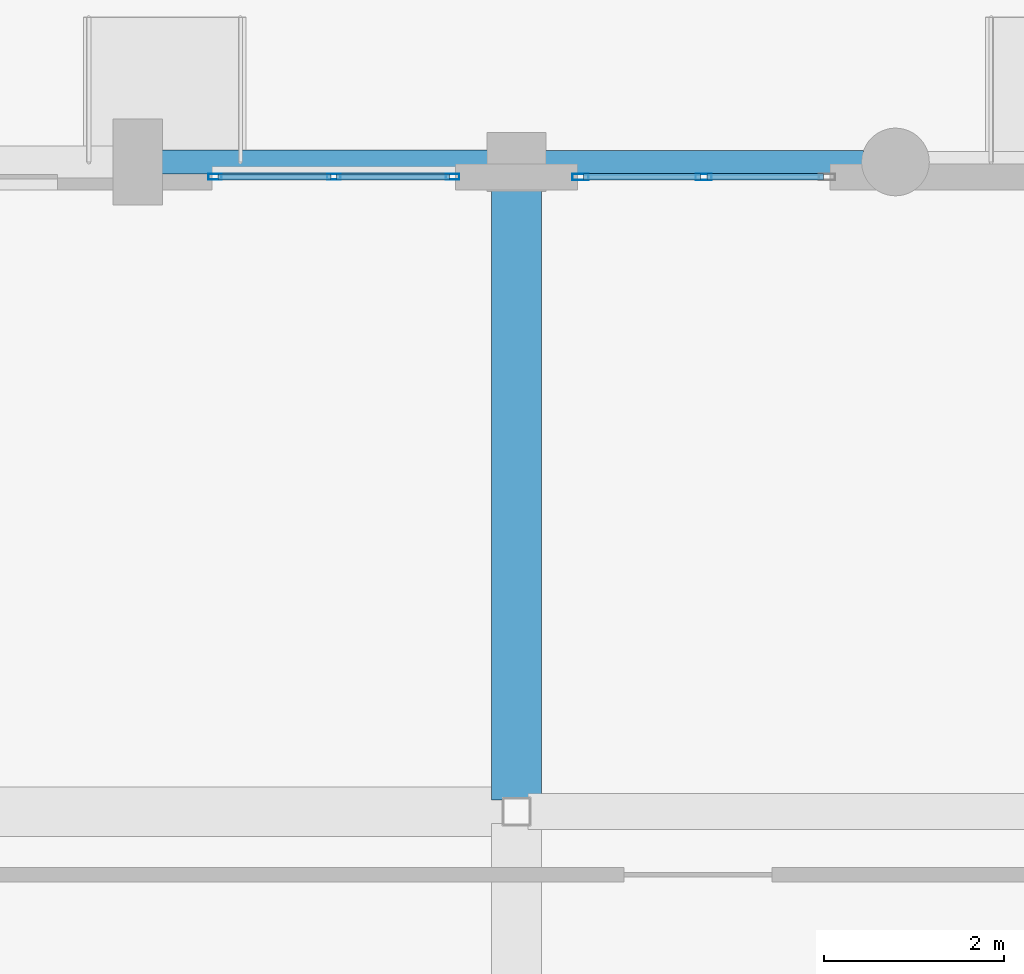
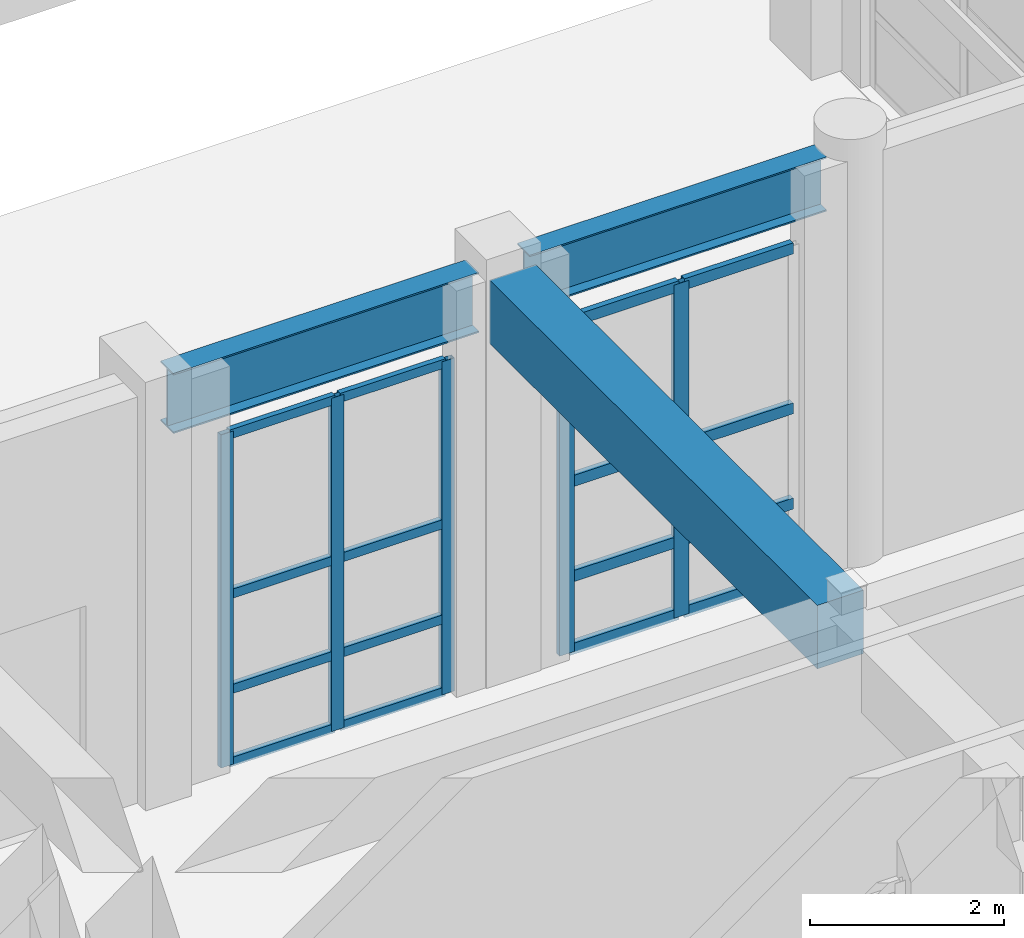
# One storey, part 88 of 148: 21 members, 3 beams, 2 elements without a shape of their own.
"""IFC4 building model written with IfcOpenShell, lengths in metres."""

from ifc_helpers import new_model, si_unit, direction, frame, origin, origin_2d, place, context, subcontext, project, spatial, rectangle, hollow_rectangle, i_section, extrude, material, layer, layer_set, material_profile, profile_set, type_object, element, aggregate, save


model = new_model("IFC4")

# Units and contexts
model_context = context("Model", 3, precision=1e-05, world=origin(), true_north=direction((0.0, 1.0)))
body_context = subcontext(model_context, "Body", "Model", "MODEL_VIEW")
ifc_project = project(units=[si_unit("LENGTHUNIT", "METRE"), si_unit("AREAUNIT", "SQUARE_METRE"), si_unit("VOLUMEUNIT", "CUBIC_METRE"), si_unit("PLANEANGLEUNIT", "RADIAN"), si_unit("MASSUNIT", "GRAM", prefix="KILO")], contexts=[model_context])

# Site, building, storey
site_placement = place(None, origin())
site = spatial("IfcSite", under=ifc_project, at=site_placement, CompositionType="ELEMENT")
building_placement = place(site_placement, origin())
building = spatial("IfcBuilding", under=site, at=building_placement, Name="Quendrovan Civic Courthouse", CompositionType="ELEMENT")
storey_placement = place(building_placement, origin())
storey = spatial("IfcBuildingStorey", under=building, at=storey_placement, Name="L01", CompositionType="ELEMENT", Elevation=0.0)

# Beams
ifc_material_1 = material(Name="Concrete C40/50", Category="concrete")
ifc_material_profile_1 = material_profile(ifc_material_1, rectangle(XDim=0.550048828125, YDim=0.800048828125, at=origin_2d()), Name="RC-BM-550x800")
ifc_profile_set_1 = profile_set([ifc_material_profile_1], Name="Concrete C40/50")
beam_type_1 = type_object("IfcBeamType", Name="BM-RC800", PredefinedType="BEAM", material=ifc_profile_set_1)
beam_1_placement = place(storey_placement, frame((100.800048828125, 94.929931640625, 4.719970703125), z_axis=(0.0, 1.0, 0.0), x_axis=(-1.0, 0.0, 0.0)))
element("IfcBeam", 1, at=beam_1_placement, inside=storey, type_object=beam_type_1, Name="L01 Girder Y0455", PredefinedType="BEAM", context=body_context, shape_type="SweptSolid", body=[
    extrude(rectangle(XDim=0.550048828125, YDim=0.800048828125, at=origin_2d()), origin(), (0.0, 0.0, 1.0), 6.76513671875),
])
ifc_material_2 = material(Name="Steel ASTM A992 Grade 50", Category="steel")
ifc_material_profile_2 = material_profile(ifc_material_2, i_section(OverallWidth=0.25390625, OverallDepth=0.68408203125, WebThickness=0.012451171875, FlangeThickness=0.018798828125, at=origin_2d()), Name="W27X94")
ifc_profile_set_2 = profile_set([ifc_material_profile_2], Name="Steel ASTM A992 Grade 50")
beam_type_2 = type_object("IfcBeamType", Name="BM-STL-W27", PredefinedType="BEAM", material=ifc_profile_set_2)
beam_2_placement = place(storey_placement, frame((101.10498046875, 102.0, 4.778076171875), z_axis=(1.0, 0.0, 0.0), x_axis=(0.0, 1.0, 0.0)))
element("IfcBeam", 2, at=beam_2_placement, inside=storey, type_object=beam_type_2, Name="L01 Girder X0347", PredefinedType="BEAM", context=body_context, shape_type="SweptSolid", body=[
    extrude(i_section(OverallWidth=0.25390625, OverallDepth=0.68408203125, WebThickness=0.012451171875, FlangeThickness=0.018798828125, at=origin_2d()), origin(), (0.0, 0.0, 1.0), 3.5400390625),
])
ifc_material_profile_3 = material_profile(ifc_material_2, i_section(OverallWidth=0.26611328125, OverallDepth=0.758056640625, WebThickness=0.013916015625, FlangeThickness=0.019287109375, at=origin_2d()), Name="W30X108")
ifc_profile_set_3 = profile_set([ifc_material_profile_3], Name="Steel ASTM A992 Grade 50")
beam_type_3 = type_object("IfcBeamType", Name="BM-STL-W30", PredefinedType="BEAM", material=ifc_profile_set_3)
beam_3_placement = place(storey_placement, frame((96.85498046875, 102.0, 4.740966796875), z_axis=(1.0, 0.0, 0.0), x_axis=(0.0, 1.0, 0.0)))
element("IfcBeam", 3, at=beam_3_placement, inside=storey, type_object=beam_type_3, Name="L01 Girder X0346", PredefinedType="BEAM", context=body_context, shape_type="SweptSolid", body=[
    extrude(i_section(OverallWidth=0.26611328125, OverallDepth=0.758056640625, WebThickness=0.013916015625, FlangeThickness=0.019287109375, at=origin_2d()), origin(), (0.0, 0.0, 1.0), 3.64013671875),
])

# Curtain wall, members
ifc_material_3 = material(Name="Bronze anodised aluminium and low-E glass", Category="aluminium")
ifc_layer_1 = layer(ifc_material_3, 0.179931640625, Name="Bronze anodised aluminium and low-E glass")
ifc_layer_set_1 = layer_set([ifc_layer_1], Name="Bronze anodised aluminium and low-E glass")
curtain_wall_type_1 = type_object("IfcCurtainWallType", Name="CW-U28x42", PredefinedType="USERDEFINED", material=ifc_layer_set_1)
curtain_wall_1_placement = place(storey_placement, origin())
curtain_wall_1 = element("IfcCurtainWall", 4, at=curtain_wall_1_placement, inside=storey, type_object=curtain_wall_type_1, Name="L01 Unitised Hurricane Curtain Wall CW-034", ObjectType="UNITISED CURTAIN WALL", PredefinedType="USERDEFINED")
ifc_material_4 = material(Name="Bronze anodised aluminium", Category="aluminium")
ifc_material_profile_4 = material_profile(ifc_material_4, hollow_rectangle(XDim=0.070068359375, YDim=0.179931640625, WallThickness=0.00390625, at=origin_2d()), Name="CW-MULL-70x180")
ifc_profile_set_4 = profile_set([ifc_material_profile_4], Name="Bronze anodised aluminium")
member_type_1 = type_object("IfcMemberType", Name="CW-MULL-A", PredefinedType="MULLION", material=ifc_profile_set_4)
member_1_placement = place(storey_placement, frame((101.510009765625, 101.8349609375, 0.0), z_axis=(0.0, 0.0, 1.0), x_axis=(0.0, 1.0, 0.0)))
member_1 = element("IfcMember", 5, at=member_1_placement, type_object=member_type_1, Name="CW-034 mullion 1", PredefinedType="MULLION", context=body_context, shape_type="SweptSolid", body=[
    extrude(hollow_rectangle(XDim=0.070068359375, YDim=0.179931640625, WallThickness=0.00390625, at=origin_2d()), origin(), (0.0, 0.0, 1.0), 4.199951171875),
])
member_2_placement = place(storey_placement, frame((102.875, 101.8349609375, 0.0), z_axis=(0.0, 0.0, 1.0), x_axis=(0.0, 1.0, 0.0)))
member_2 = element("IfcMember", 6, at=member_2_placement, type_object=member_type_1, Name="CW-034 mullion 2", PredefinedType="MULLION", context=body_context, shape_type="SweptSolid", body=[
    extrude(hollow_rectangle(XDim=0.070068359375, YDim=0.179931640625, WallThickness=0.00390625, at=origin_2d()), origin(), (0.0, 0.0, 1.0), 4.199951171875),
])

ifc_layer_2 = layer(ifc_material_3, 0.179931640625, Name="Bronze anodised aluminium and low-E glass")
ifc_layer_set_2 = layer_set([ifc_layer_2], Name="Bronze anodised aluminium and low-E glass")
curtain_wall_type_2 = type_object("IfcCurtainWallType", Name="CW-U27x42", PredefinedType="USERDEFINED", material=ifc_layer_set_2)
curtain_wall_2_placement = place(storey_placement, origin())
curtain_wall_2 = element("IfcCurtainWall", 7, at=curtain_wall_2_placement, inside=storey, type_object=curtain_wall_type_2, Name="L01 Unitised Hurricane Curtain Wall CW-033", ObjectType="UNITISED CURTAIN WALL", PredefinedType="USERDEFINED")
ifc_material_profile_5 = material_profile(ifc_material_4, hollow_rectangle(XDim=0.06494140625, YDim=0.14990234375, WallThickness=0.00390625, at=origin_2d()), Name="CW-MULL-65x150")
ifc_profile_set_5 = profile_set([ifc_material_profile_5], Name="Bronze anodised aluminium")
member_type_2 = type_object("IfcMemberType", Name="CW-MULL-B", PredefinedType="MULLION", material=ifc_profile_set_5)
member_3_placement = place(storey_placement, frame((97.45751953125, 101.8349609375, 0.0), z_axis=(0.0, 0.0, 1.0), x_axis=(0.0, 1.0, 0.0)))
member_3 = element("IfcMember", 8, at=member_3_placement, type_object=member_type_2, Name="CW-033 mullion 1", PredefinedType="MULLION", context=body_context, shape_type="SweptSolid", body=[
    extrude(hollow_rectangle(XDim=0.06494140625, YDim=0.14990234375, WallThickness=0.00390625, at=origin_2d()), origin(), (0.0, 0.0, 1.0), 4.199951171875),
])
member_4_placement = place(storey_placement, frame((98.77490234375, 101.8349609375, 0.0), z_axis=(0.0, 0.0, 1.0), x_axis=(0.0, 1.0, 0.0)))
member_4 = element("IfcMember", 9, at=member_4_placement, type_object=member_type_2, Name="CW-033 mullion 2", PredefinedType="MULLION", context=body_context, shape_type="SweptSolid", body=[
    extrude(hollow_rectangle(XDim=0.06494140625, YDim=0.14990234375, WallThickness=0.00390625, at=origin_2d()), origin(), (0.0, 0.0, 1.0), 4.199951171875),
])
member_5_placement = place(storey_placement, frame((100.092529296875, 101.8349609375, 0.0), z_axis=(0.0, 0.0, 1.0), x_axis=(0.0, 1.0, 0.0)))
member_5 = element("IfcMember", 10, at=member_5_placement, type_object=member_type_2, Name="CW-033 mullion 3", PredefinedType="MULLION", context=body_context, shape_type="SweptSolid", body=[
    extrude(hollow_rectangle(XDim=0.06494140625, YDim=0.14990234375, WallThickness=0.00390625, at=origin_2d()), origin(), (0.0, 0.0, 1.0), 4.199951171875),
])

# Member
ifc_material_profile_6 = material_profile(ifc_material_4, hollow_rectangle(XDim=0.070068359375, YDim=0.139892578125, WallThickness=0.00390625, at=origin_2d()), Name="CW-TRAN-70x140")
ifc_profile_set_6 = profile_set([ifc_material_profile_6], Name="Bronze anodised aluminium")
member_type_3 = type_object("IfcMemberType", Name="CW-TRAN-A", PredefinedType="USERDEFINED", material=ifc_profile_set_6)
member_6_placement = place(storey_placement, frame((101.544921875, 101.8349609375, 0.034912109375), z_axis=(1.0, 0.0, 0.0), x_axis=(0.0, 1.0, 0.0)))
member_6 = element("IfcMember", 11, at=member_6_placement, type_object=member_type_3, Name="CW-034 transom 1.1", ObjectType="TRANSOM", PredefinedType="USERDEFINED", context=body_context, shape_type="SweptSolid", body=[
    extrude(hollow_rectangle(XDim=0.070068359375, YDim=0.139892578125, WallThickness=0.00390625, at=origin_2d()), origin(), (0.0, 0.0, 1.0), 1.295166015625),
])

member_7_placement = place(storey_placement, frame((101.544921875, 101.8349609375, 0.949951171875), z_axis=(1.0, 0.0, 0.0), x_axis=(0.0, 1.0, 0.0)))
member_7 = element("IfcMember", 12, at=member_7_placement, type_object=member_type_3, Name="CW-034 transom 1.2", ObjectType="TRANSOM", PredefinedType="USERDEFINED", context=body_context, shape_type="SweptSolid", body=[
    extrude(hollow_rectangle(XDim=0.070068359375, YDim=0.139892578125, WallThickness=0.00390625, at=origin_2d()), origin(), (0.0, 0.0, 1.0), 1.295166015625),
])

member_8_placement = place(storey_placement, frame((101.544921875, 101.8349609375, 2.14990234375), z_axis=(1.0, 0.0, 0.0), x_axis=(0.0, 1.0, 0.0)))
member_8 = element("IfcMember", 13, at=member_8_placement, type_object=member_type_3, Name="CW-034 transom 1.3", ObjectType="TRANSOM", PredefinedType="USERDEFINED", context=body_context, shape_type="SweptSolid", body=[
    extrude(hollow_rectangle(XDim=0.070068359375, YDim=0.139892578125, WallThickness=0.00390625, at=origin_2d()), origin(), (0.0, 0.0, 1.0), 1.295166015625),
])

member_9_placement = place(storey_placement, frame((101.544921875, 101.8349609375, 4.1650390625), z_axis=(1.0, 0.0, 0.0), x_axis=(0.0, 1.0, 0.0)))
member_9 = element("IfcMember", 14, at=member_9_placement, type_object=member_type_3, Name="CW-034 transom 1.4", ObjectType="TRANSOM", PredefinedType="USERDEFINED", context=body_context, shape_type="SweptSolid", body=[
    extrude(hollow_rectangle(XDim=0.070068359375, YDim=0.139892578125, WallThickness=0.00390625, at=origin_2d()), origin(), (0.0, 0.0, 1.0), 1.295166015625),
])

member_10_placement = place(storey_placement, frame((102.909912109375, 101.8349609375, 0.034912109375), z_axis=(1.0, 0.0, 0.0), x_axis=(0.0, 1.0, 0.0)))
member_10 = element("IfcMember", 15, at=member_10_placement, type_object=member_type_3, Name="CW-034 transom 2.1", ObjectType="TRANSOM", PredefinedType="USERDEFINED", context=body_context, shape_type="SweptSolid", body=[
    extrude(hollow_rectangle(XDim=0.070068359375, YDim=0.139892578125, WallThickness=0.00390625, at=origin_2d()), origin(), (0.0, 0.0, 1.0), 1.295166015625),
])

member_11_placement = place(storey_placement, frame((102.909912109375, 101.8349609375, 0.949951171875), z_axis=(1.0, 0.0, 0.0), x_axis=(0.0, 1.0, 0.0)))
member_11 = element("IfcMember", 16, at=member_11_placement, type_object=member_type_3, Name="CW-034 transom 2.2", ObjectType="TRANSOM", PredefinedType="USERDEFINED", context=body_context, shape_type="SweptSolid", body=[
    extrude(hollow_rectangle(XDim=0.070068359375, YDim=0.139892578125, WallThickness=0.00390625, at=origin_2d()), origin(), (0.0, 0.0, 1.0), 1.295166015625),
])

member_12_placement = place(storey_placement, frame((102.909912109375, 101.8349609375, 2.14990234375), z_axis=(1.0, 0.0, 0.0), x_axis=(0.0, 1.0, 0.0)))
member_12 = element("IfcMember", 17, at=member_12_placement, type_object=member_type_3, Name="CW-034 transom 2.3", ObjectType="TRANSOM", PredefinedType="USERDEFINED", context=body_context, shape_type="SweptSolid", body=[
    extrude(hollow_rectangle(XDim=0.070068359375, YDim=0.139892578125, WallThickness=0.00390625, at=origin_2d()), origin(), (0.0, 0.0, 1.0), 1.295166015625),
])

member_13_placement = place(storey_placement, frame((102.909912109375, 101.8349609375, 4.1650390625), z_axis=(1.0, 0.0, 0.0), x_axis=(0.0, 1.0, 0.0)))
member_13 = element("IfcMember", 18, at=member_13_placement, type_object=member_type_3, Name="CW-034 transom 2.4", ObjectType="TRANSOM", PredefinedType="USERDEFINED", context=body_context, shape_type="SweptSolid", body=[
    extrude(hollow_rectangle(XDim=0.070068359375, YDim=0.139892578125, WallThickness=0.00390625, at=origin_2d()), origin(), (0.0, 0.0, 1.0), 1.295166015625),
])

aggregate(curtain_wall_1, [member_1, member_2, member_6, member_7, member_8, member_9, member_10, member_11, member_12, member_13])

ifc_material_profile_7 = material_profile(ifc_material_4, hollow_rectangle(XDim=0.06494140625, YDim=0.114990234375, WallThickness=0.00390625, at=origin_2d()), Name="CW-TRAN-65x115")
ifc_profile_set_7 = profile_set([ifc_material_profile_7], Name="Bronze anodised aluminium")
member_type_4 = type_object("IfcMemberType", Name="CW-TRAN-B", PredefinedType="USERDEFINED", material=ifc_profile_set_7)
member_14_placement = place(storey_placement, frame((97.489990234375, 101.8349609375, 0.032470703125), z_axis=(1.0, 0.0, 0.0), x_axis=(0.0, 1.0, 0.0)))
member_14 = element("IfcMember", 19, at=member_14_placement, type_object=member_type_4, Name="CW-033 transom 1.1", ObjectType="TRANSOM", PredefinedType="USERDEFINED", context=body_context, shape_type="SweptSolid", body=[
    extrude(hollow_rectangle(XDim=0.06494140625, YDim=0.114990234375, WallThickness=0.00390625, at=origin_2d()), origin(), (0.0, 0.0, 1.0), 1.25244140625),
])

member_15_placement = place(storey_placement, frame((97.489990234375, 101.8349609375, 0.949951171875), z_axis=(1.0, 0.0, 0.0), x_axis=(0.0, 1.0, 0.0)))
member_15 = element("IfcMember", 20, at=member_15_placement, type_object=member_type_4, Name="CW-033 transom 1.2", ObjectType="TRANSOM", PredefinedType="USERDEFINED", context=body_context, shape_type="SweptSolid", body=[
    extrude(hollow_rectangle(XDim=0.06494140625, YDim=0.114990234375, WallThickness=0.00390625, at=origin_2d()), origin(), (0.0, 0.0, 1.0), 1.25244140625),
])

member_16_placement = place(storey_placement, frame((97.489990234375, 101.8349609375, 2.14990234375), z_axis=(1.0, 0.0, 0.0), x_axis=(0.0, 1.0, 0.0)))
member_16 = element("IfcMember", 21, at=member_16_placement, type_object=member_type_4, Name="CW-033 transom 1.3", ObjectType="TRANSOM", PredefinedType="USERDEFINED", context=body_context, shape_type="SweptSolid", body=[
    extrude(hollow_rectangle(XDim=0.06494140625, YDim=0.114990234375, WallThickness=0.00390625, at=origin_2d()), origin(), (0.0, 0.0, 1.0), 1.25244140625),
])

member_17_placement = place(storey_placement, frame((97.489990234375, 101.8349609375, 4.16748046875), z_axis=(1.0, 0.0, 0.0), x_axis=(0.0, 1.0, 0.0)))
member_17 = element("IfcMember", 22, at=member_17_placement, type_object=member_type_4, Name="CW-033 transom 1.4", ObjectType="TRANSOM", PredefinedType="USERDEFINED", context=body_context, shape_type="SweptSolid", body=[
    extrude(hollow_rectangle(XDim=0.06494140625, YDim=0.114990234375, WallThickness=0.00390625, at=origin_2d()), origin(), (0.0, 0.0, 1.0), 1.25244140625),
])

member_18_placement = place(storey_placement, frame((98.8076171875, 101.8349609375, 0.032470703125), z_axis=(1.0, 0.0, 0.0), x_axis=(0.0, 1.0, 0.0)))
member_18 = element("IfcMember", 23, at=member_18_placement, type_object=member_type_4, Name="CW-033 transom 2.1", ObjectType="TRANSOM", PredefinedType="USERDEFINED", context=body_context, shape_type="SweptSolid", body=[
    extrude(hollow_rectangle(XDim=0.06494140625, YDim=0.114990234375, WallThickness=0.00390625, at=origin_2d()), origin(), (0.0, 0.0, 1.0), 1.25244140625),
])

member_19_placement = place(storey_placement, frame((98.8076171875, 101.8349609375, 0.949951171875), z_axis=(1.0, 0.0, 0.0), x_axis=(0.0, 1.0, 0.0)))
member_19 = element("IfcMember", 24, at=member_19_placement, type_object=member_type_4, Name="CW-033 transom 2.2", ObjectType="TRANSOM", PredefinedType="USERDEFINED", context=body_context, shape_type="SweptSolid", body=[
    extrude(hollow_rectangle(XDim=0.06494140625, YDim=0.114990234375, WallThickness=0.00390625, at=origin_2d()), origin(), (0.0, 0.0, 1.0), 1.25244140625),
])

member_20_placement = place(storey_placement, frame((98.8076171875, 101.8349609375, 2.14990234375), z_axis=(1.0, 0.0, 0.0), x_axis=(0.0, 1.0, 0.0)))
member_20 = element("IfcMember", 25, at=member_20_placement, type_object=member_type_4, Name="CW-033 transom 2.3", ObjectType="TRANSOM", PredefinedType="USERDEFINED", context=body_context, shape_type="SweptSolid", body=[
    extrude(hollow_rectangle(XDim=0.06494140625, YDim=0.114990234375, WallThickness=0.00390625, at=origin_2d()), origin(), (0.0, 0.0, 1.0), 1.25244140625),
])

member_21_placement = place(storey_placement, frame((98.8076171875, 101.8349609375, 4.16748046875), z_axis=(1.0, 0.0, 0.0), x_axis=(0.0, 1.0, 0.0)))
member_21 = element("IfcMember", 26, at=member_21_placement, type_object=member_type_4, Name="CW-033 transom 2.4", ObjectType="TRANSOM", PredefinedType="USERDEFINED", context=body_context, shape_type="SweptSolid", body=[
    extrude(hollow_rectangle(XDim=0.06494140625, YDim=0.114990234375, WallThickness=0.00390625, at=origin_2d()), origin(), (0.0, 0.0, 1.0), 1.25244140625),
])

aggregate(curtain_wall_2, [member_3, member_4, member_5, member_14, member_15, member_16, member_17, member_18, member_19, member_20, member_21])

save(model, "model.ifc")
